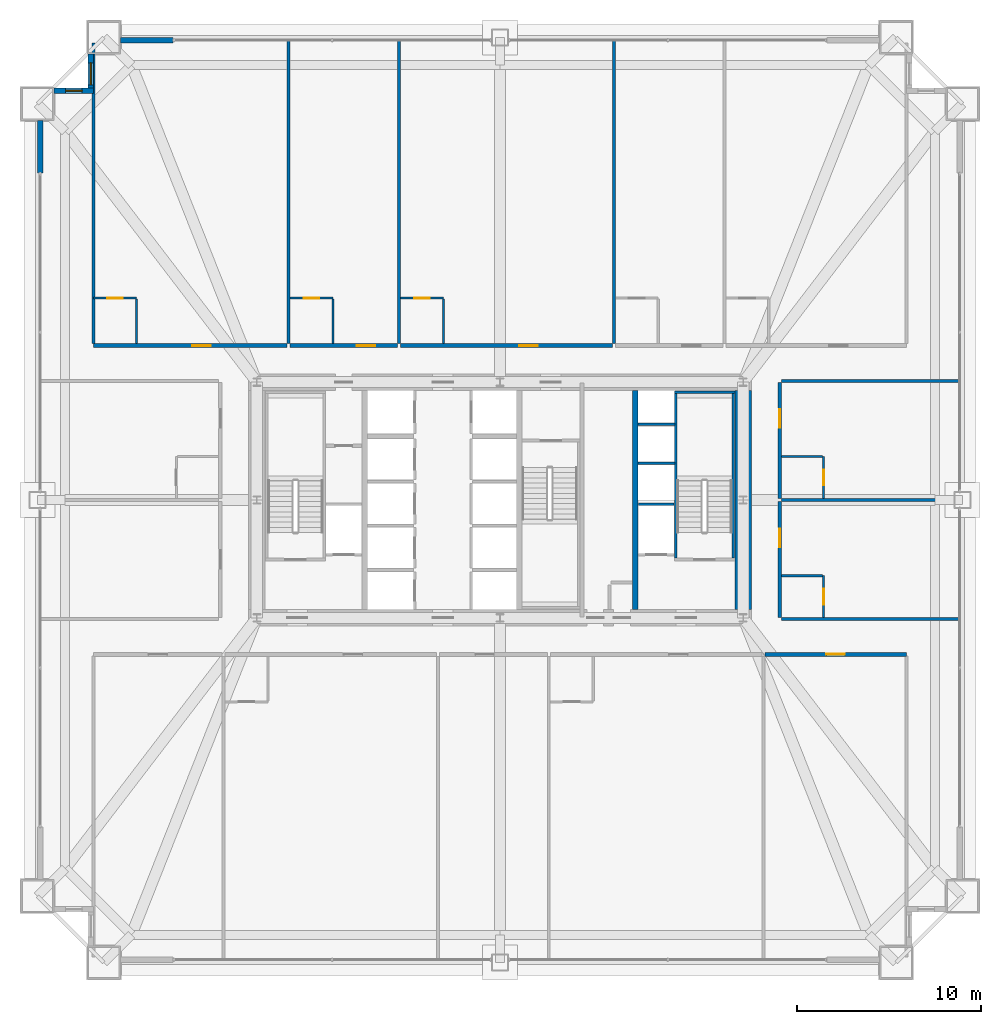
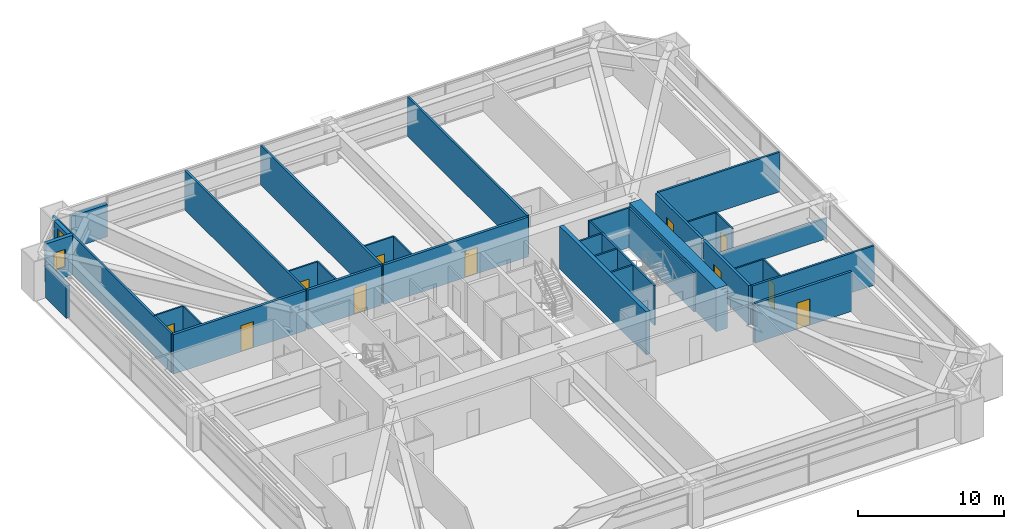
# One storey, part 42 of 44: 35 walls, 11 doors, 2 windows, 13 openings.
"""IFC4 building model written with IfcOpenShell, lengths in metres."""

from ifc_helpers import new_model, si_unit, direction, frame, frame_2d, origin, place, context, subcontext, project, spatial, rectangle, extrude, source, transform, mapped, material, layer, layer_set, type_object, element, fill, save


model = new_model("IFC4")

# Units and contexts
model_context = context("Model", 3, precision=1e-05, world=origin(), true_north=direction((0.0, 1.0)))
body_context = subcontext(model_context, "Body", "Model", "MODEL_VIEW")
ifc_project = project(units=[si_unit("LENGTHUNIT", "METRE"), si_unit("AREAUNIT", "SQUARE_METRE"), si_unit("VOLUMEUNIT", "CUBIC_METRE"), si_unit("PLANEANGLEUNIT", "RADIAN"), si_unit("MASSUNIT", "GRAM", prefix="KILO"), si_unit("THERMODYNAMICTEMPERATUREUNIT", "KELVIN"), si_unit("POWERUNIT", "WATT")], contexts=[model_context])

# Site, building, storey
site_placement = place(None, origin())
site = spatial("IfcSite", under=ifc_project, at=site_placement, CompositionType="ELEMENT")
building_placement = place(site_placement, origin())
building = spatial("IfcBuilding", under=site, at=building_placement, Name="Yuzanri Waterfront Tower", CompositionType="ELEMENT")
storey_placement = place(building_placement, frame((0.0, 0.0, 82.0)))
storey = spatial("IfcBuildingStorey", under=building, at=storey_placement, Name="L21", CompositionType="ELEMENT", Elevation=82.0)

# Wall, opening, door
ifc_material_1 = material(Name="Moisture-Resistant Gypsum Stud Wall", Category="gypsum")
ifc_layer_1 = layer(ifc_material_1, 0.1201171875)
ifc_layer_set_1 = layer_set([ifc_layer_1], Name="Moisture-Resistant Gypsum Stud Wall")
wall_type_1 = type_object("IfcWallType", Name="Bathroom and Kitchen Wet Partition 120", PredefinedType="PARTITIONING", material=ifc_layer_set_1)
wall_1_placement = place(storey_placement, frame((14.93994140625, 36.760009765625, 0.0), z_axis=(0.0, 0.0, 1.0), x_axis=(1.0, 0.0, 0.0)))
wall_1 = element("IfcWall", 1, at=wall_1_placement, inside=storey, type_object=wall_type_1, Name="L21 Partition UW-L21-N1-BN", PredefinedType="PARTITIONING", context=body_context, shape_type="SweptSolid", body=[
    extrude(rectangle(XDim=2.330078125, YDim=0.1201171875, at=frame_2d((1.1650390625, 0.0))), origin(), (0.0, 0.0, 1.0), 3.320068359375),
])
opening_1_placement = place(wall_1_placement, frame((0.739990234375, 0.0, 0.0)))
opening_1 = element("IfcOpeningElement", 2, at=opening_1_placement, cuts=wall_1, Name="Opening ID-0850", PredefinedType="OPENING", context=body_context, shape_type="SweptSolid", body=[
    extrude(rectangle(XDim=0.85009765625, YDim=2.10009765625, at=frame_2d((0.425048828125, 1.050048828125))), frame((0.0, 0.074951171875, 0.0), z_axis=(0.0, -1.0, 0.0), x_axis=(1.0, 0.0, 0.0)), (0.0, 0.0, 1.0), 0.14990234375),
])
ifc_material_2 = material(Name="Moisture-Resistant Lacquered Timber", Category="wood")
door_type_1 = type_object("IfcDoorType", Name="En-Suite Bathroom and Kitchen Swing Door 850x2100", OperationType="NOTDEFINED", PredefinedType="DOOR", material=ifc_material_2)
shared_shape_1 = source(origin(), body_context, "Body", "SweptSolid", [
    extrude(rectangle(XDim=0.85009765625, YDim=2.10009765625, at=frame_2d((0.425048828125, 1.050048828125))), frame((0.0, 0.02490234375, 0.0), z_axis=(0.0, -1.0, 0.0), x_axis=(1.0, 0.0, 0.0)), (0.0, 0.0, 1.0), 0.050048828125),
])
door_1_placement = place(opening_1_placement, origin())
door_1 = element("IfcDoor", 3, at=door_1_placement, inside=storey, type_object=door_type_1, Name="L21 Guest En-Suite Door", OperationType="SINGLE_SWING_RIGHT", OverallHeight=2.10009765625, OverallWidth=0.85009765625, PredefinedType="DOOR", context=body_context, shape_type="MappedRepresentation", body=[
    mapped(shared_shape_1, transform((0.0, 0.0, 0.0), scale=1.0)),
])
fill(opening_1, door_1)

wall_2_placement = place(storey_placement, frame((25.60888671875, 36.760009765625, 0.0), z_axis=(0.0, 0.0, 1.0), x_axis=(1.0, 0.0, 0.0)))
wall_2 = element("IfcWall", 4, at=wall_2_placement, inside=storey, type_object=wall_type_1, Name="L21 Partition UW-L21-N2-BN", PredefinedType="PARTITIONING", context=body_context, shape_type="SweptSolid", body=[
    extrude(rectangle(XDim=2.330078125, YDim=0.1201171875, at=frame_2d((1.1650390625, 0.0))), origin(), (0.0, 0.0, 1.0), 3.320068359375),
])
opening_2_placement = place(wall_2_placement, frame((0.739990234375, 0.0, 0.0)))
opening_2 = element("IfcOpeningElement", 5, at=opening_2_placement, cuts=wall_2, Name="Opening ID-0850", PredefinedType="OPENING", context=body_context, shape_type="SweptSolid", body=[
    extrude(rectangle(XDim=0.85009765625, YDim=2.10009765625, at=frame_2d((0.425048828125, 1.050048828125))), frame((0.0, 0.074951171875, 0.0), z_axis=(0.0, -1.0, 0.0), x_axis=(1.0, 0.0, 0.0)), (0.0, 0.0, 1.0), 0.14990234375),
])
door_2_placement = place(opening_2_placement, origin())
door_2 = element("IfcDoor", 6, at=door_2_placement, inside=storey, type_object=door_type_1, Name="L21 Guest En-Suite Door", OperationType="SINGLE_SWING_RIGHT", OverallHeight=2.10009765625, OverallWidth=0.85009765625, PredefinedType="DOOR", context=body_context, shape_type="MappedRepresentation", body=[
    mapped(shared_shape_1, transform((0.0, 0.0, 0.0), scale=1.0)),
])
fill(opening_2, door_2)

wall_3_placement = place(storey_placement, frame((31.60888671875, 36.760009765625, 0.0), z_axis=(0.0, 0.0, 1.0), x_axis=(1.0, 0.0, 0.0)))
wall_3 = element("IfcWall", 7, at=wall_3_placement, inside=storey, type_object=wall_type_1, Name="L21 Partition UW-L21-N3-BN", PredefinedType="PARTITIONING", context=body_context, shape_type="SweptSolid", body=[
    extrude(rectangle(XDim=2.330078125, YDim=0.1201171875, at=frame_2d((1.1650390625, 0.0))), origin(), (0.0, 0.0, 1.0), 3.320068359375),
])
opening_3_placement = place(wall_3_placement, frame((0.739990234375, 0.0, 0.0)))
opening_3 = element("IfcOpeningElement", 8, at=opening_3_placement, cuts=wall_3, Name="Opening ID-0850", PredefinedType="OPENING", context=body_context, shape_type="SweptSolid", body=[
    extrude(rectangle(XDim=0.85009765625, YDim=2.10009765625, at=frame_2d((0.425048828125, 1.050048828125))), frame((0.0, 0.074951171875, 0.0), z_axis=(0.0, -1.0, 0.0), x_axis=(1.0, 0.0, 0.0)), (0.0, 0.0, 1.0), 0.14990234375),
])
door_3_placement = place(opening_3_placement, origin())
door_3 = element("IfcDoor", 9, at=door_3_placement, inside=storey, type_object=door_type_1, Name="L21 Guest En-Suite Door", OperationType="SINGLE_SWING_RIGHT", OverallHeight=2.10009765625, OverallWidth=0.85009765625, PredefinedType="DOOR", context=body_context, shape_type="MappedRepresentation", body=[
    mapped(shared_shape_1, transform((0.0, 0.0, 0.0), scale=1.0)),
])
fill(opening_3, door_3)

wall_4_placement = place(storey_placement, frame((54.56005859375, 19.409912109375, 0.0), z_axis=(0.0, 0.0, 1.0), x_axis=(0.0, 1.0, 0.0)))
wall_4 = element("IfcWall", 10, at=wall_4_placement, inside=storey, type_object=wall_type_1, Name="L21 Partition UW-L21-E1-BE2", PredefinedType="PARTITIONING", context=body_context, shape_type="SweptSolid", body=[
    extrude(rectangle(XDim=2.280029296875, YDim=0.1201171875, at=frame_2d((1.14013671875, 0.0))), origin(), (0.0, 0.0, 1.0), 3.320068359375),
])
opening_4_placement = place(wall_4_placement, frame((0.715087890625, 0.0, 0.0)))
opening_4 = element("IfcOpeningElement", 11, at=opening_4_placement, cuts=wall_4, Name="Opening ID-0850", PredefinedType="OPENING", context=body_context, shape_type="SweptSolid", body=[
    extrude(rectangle(XDim=0.85009765625, YDim=2.10009765625, at=frame_2d((0.425048828125, 1.050048828125))), frame((0.0, 0.074951171875, 0.0), z_axis=(0.0, -1.0, 0.0), x_axis=(1.0, 0.0, 0.0)), (0.0, 0.0, 1.0), 0.14990234375),
])
door_4_placement = place(opening_4_placement, origin())
door_4 = element("IfcDoor", 12, at=door_4_placement, inside=storey, type_object=door_type_1, Name="L21 Guest En-Suite Door", OperationType="SINGLE_SWING_LEFT", OverallHeight=2.10009765625, OverallWidth=0.85009765625, PredefinedType="DOOR", context=body_context, shape_type="MappedRepresentation", body=[
    mapped(shared_shape_1, transform((0.0, 0.0, 0.0), scale=1.0)),
])
fill(opening_4, door_4)

wall_5_placement = place(storey_placement, frame((54.56005859375, 25.8798828125, 0.0), z_axis=(0.0, 0.0, 1.0), x_axis=(0.0, 1.0, 0.0)))
wall_5 = element("IfcWall", 13, at=wall_5_placement, inside=storey, type_object=wall_type_1, Name="L21 Partition UW-L21-E2-BE2", PredefinedType="PARTITIONING", context=body_context, shape_type="SweptSolid", body=[
    extrude(rectangle(XDim=2.280029296875, YDim=0.1201171875, at=frame_2d((1.14013671875, 0.0))), origin(), (0.0, 0.0, 1.0), 3.320068359375),
])
opening_5_placement = place(wall_5_placement, frame((0.715087890625, 0.0, 0.0)))
opening_5 = element("IfcOpeningElement", 14, at=opening_5_placement, cuts=wall_5, Name="Opening ID-0850", PredefinedType="OPENING", context=body_context, shape_type="SweptSolid", body=[
    extrude(rectangle(XDim=0.85009765625, YDim=2.10009765625, at=frame_2d((0.425048828125, 1.050048828125))), frame((0.0, 0.074951171875, 0.0), z_axis=(0.0, -1.0, 0.0), x_axis=(1.0, 0.0, 0.0)), (0.0, 0.0, 1.0), 0.14990234375),
])
door_5_placement = place(opening_5_placement, origin())
door_5 = element("IfcDoor", 15, at=door_5_placement, inside=storey, type_object=door_type_1, Name="L21 Guest En-Suite Door", OperationType="SINGLE_SWING_LEFT", OverallHeight=2.10009765625, OverallWidth=0.85009765625, PredefinedType="DOOR", context=body_context, shape_type="MappedRepresentation", body=[
    mapped(shared_shape_1, transform((0.0, 0.0, 0.0), scale=1.0)),
])
fill(opening_5, door_5)

# Wall, opening, window
ifc_material_3 = material(Name="Honed Chongqing Dark Basalt Stone", Category="masonry")
ifc_layer_2 = layer(ifc_material_3, 0.300048828125)
ifc_layer_set_2 = layer_set([ifc_layer_2], Name="Honed Chongqing Dark Basalt Stone")
wall_type_2 = type_object("IfcWallType", Name="Bronze Rainscreen Insulated Spandrel Portal Wall 300", PredefinedType="SOLIDWALL", material=ifc_layer_set_2)
wall_6_placement = place(storey_placement, frame((14.949951171875, 48.0, 0.0), z_axis=(0.0, 0.0, 1.0), x_axis=(-1.0, 0.0, 0.0)))
wall_6 = element("IfcWall", 16, at=wall_6_placement, inside=storey, type_object=wall_type_2, Name="L21 Notched Corner Masonry Wall NW-X", PredefinedType="SOLIDWALL", context=body_context, shape_type="SweptSolid", body=[
    extrude(rectangle(XDim=2.14990234375, YDim=0.300048828125, at=frame_2d((1.074951171875, 0.0))), origin(), (0.0, 0.0, 1.0), 3.320068359375),
])
opening_6_placement = place(wall_6_placement, frame((0.625, 0.0, 0.85009765625)))
opening_6 = element("IfcOpeningElement", 17, at=opening_6_placement, cuts=wall_6, Name="Opening WN-05", PredefinedType="OPENING", context=body_context, shape_type="SweptSolid", body=[
    extrude(rectangle(XDim=0.89990234375, YDim=1.5, at=frame_2d((0.449951171875, 0.75))), frame((0.0, 0.1650390625, 0.0), z_axis=(0.0, -1.0, 0.0), x_axis=(1.0, 0.0, 0.0)), (0.0, 0.0, 1.0), 0.329833984375),
])
ifc_material_4 = material(Name="Double-Silver Low-E Insulated Glass", Category="glass")
window_type_1 = type_object("IfcWindowType", Name="Anodized Bronze Service and Stairwell Smoke-Vent Window 900x1500", PartitioningType="SINGLE_PANEL", PredefinedType="WINDOW", material=ifc_material_4)
shared_shape_2 = source(origin(), body_context, "Body", "SweptSolid", [
    extrude(rectangle(XDim=0.89990234375, YDim=1.5, at=frame_2d((0.449951171875, 0.75))), frame((0.0, 0.030029296875, 0.0), z_axis=(0.0, -1.0, 0.0), x_axis=(1.0, 0.0, 0.0)), (0.0, 0.0, 1.0), 0.06005859375),
])
window_1_placement = place(opening_6_placement, origin())
window_1 = element("IfcWindow", 18, at=window_1_placement, inside=storey, type_object=window_type_1, Name="L21 Notched Corner Window NW-X", OverallHeight=1.5, OverallWidth=0.89990234375, PartitioningType="SINGLE_PANEL", PredefinedType="WINDOW", context=body_context, shape_type="MappedRepresentation", body=[
    mapped(shared_shape_2, transform((0.0, 0.0, 0.0), scale=1.0)),
])
fill(opening_6, window_1)

wall_7_placement = place(storey_placement, frame((14.800048828125, 50.0, 0.0), z_axis=(0.0, 0.0, 1.0), x_axis=(0.0, -1.0, 0.0)))
wall_7 = element("IfcWall", 19, at=wall_7_placement, inside=storey, type_object=wall_type_2, Name="L21 Notched Corner Masonry Wall NW-Y", PredefinedType="SOLIDWALL", context=body_context, shape_type="SweptSolid", body=[
    extrude(rectangle(XDim=2.14990234375, YDim=0.300048828125, at=frame_2d((1.074951171875, 0.0))), origin(), (0.0, 0.0, 1.0), 3.320068359375),
])
opening_7_placement = place(wall_7_placement, frame((0.47509765625, 0.0, 0.85009765625)))
opening_7 = element("IfcOpeningElement", 20, at=opening_7_placement, cuts=wall_7, Name="Opening WN-02", PredefinedType="OPENING", context=body_context, shape_type="SweptSolid", body=[
    extrude(rectangle(XDim=1.199951171875, YDim=2.10009765625, at=frame_2d((0.60009765625, 1.050048828125))), frame((0.0, 0.1650390625, 0.0), z_axis=(0.0, -1.0, 0.0), x_axis=(1.0, 0.0, 0.0)), (0.0, 0.0, 1.0), 0.329833984375),
])
ifc_material_5 = material(Name="Double-Silver Low-E Insulated Glass", Category="glass")
window_type_2 = type_object("IfcWindowType", Name="Anodized Bronze Notched Corner Deep-Set Slot Window 1200x2100", PartitioningType="SINGLE_PANEL", PredefinedType="WINDOW", material=ifc_material_5)
shared_shape_3 = source(origin(), body_context, "Body", "SweptSolid", [
    extrude(rectangle(XDim=1.199951171875, YDim=2.10009765625, at=frame_2d((0.60009765625, 1.050048828125))), frame((0.0, 0.030029296875, 0.0), z_axis=(0.0, -1.0, 0.0), x_axis=(1.0, 0.0, 0.0)), (0.0, 0.0, 1.0), 0.06005859375),
])
window_2_placement = place(opening_7_placement, origin())
window_2 = element("IfcWindow", 21, at=window_2_placement, inside=storey, type_object=window_type_2, Name="L21 Notched Corner Window NW-Y", OverallHeight=2.10009765625, OverallWidth=1.199951171875, PartitioningType="SINGLE_PANEL", PredefinedType="WINDOW", context=body_context, shape_type="MappedRepresentation", body=[
    mapped(shared_shape_3, transform((0.0, 0.0, 0.0), scale=1.0)),
])
fill(opening_7, window_2)

# Wall, opening, door
ifc_material_6 = material(Name="Autoclaved Aerated Concrete Blockwork", Category="masonry")
ifc_layer_3 = layer(ifc_material_6, 0.199951171875)
ifc_layer_set_3 = layer_set([ifc_layer_3], Name="Autoclaved Aerated Concrete Blockwork")
wall_type_3 = type_object("IfcWallType", Name="Corridor and Unit Party Fire Wall 200", PredefinedType="PARTITIONING", material=ifc_layer_set_3)
wall_8_placement = place(storey_placement, frame((51.375, 17.419921875, 0.0), z_axis=(0.0, 0.0, 1.0), x_axis=(1.0, 0.0, 0.0)))
wall_8 = element("IfcWall", 22, at=wall_8_placement, inside=storey, type_object=wall_type_3, Name="L21 Partition UW-L21-S5-CN", PredefinedType="PARTITIONING", context=body_context, shape_type="SweptSolid", body=[
    extrude(rectangle(XDim=7.68505859375, YDim=0.199951171875, at=frame_2d((3.842529296875, 0.0))), origin(), (0.0, 0.0, 1.0), 3.320068359375),
])
opening_8_placement = place(wall_8_placement, frame((3.343017578125, 0.0, 0.0)))
opening_8 = element("IfcOpeningElement", 23, at=opening_8_placement, cuts=wall_8, Name="Opening FD-1000", PredefinedType="OPENING", context=body_context, shape_type="SweptSolid", body=[
    extrude(rectangle(XDim=1.0, YDim=2.199951171875, at=frame_2d((0.5, 1.10009765625))), frame((0.0, 0.11474609375, 0.0), z_axis=(0.0, -1.0, 0.0), x_axis=(1.0, 0.0, 0.0)), (0.0, 0.0, 1.0), 0.229736328125),
])
ifc_material_7 = material(Name="Engineered Oak Fire-Rated Timber", Category="wood")
door_type_2 = type_object("IfcDoorType", Name="Guestroom and Apartment Entrance Fire Door 1000x2200", OperationType="NOTDEFINED", PredefinedType="DOOR", material=ifc_material_7)
shared_shape_4 = source(origin(), body_context, "Body", "SweptSolid", [
    extrude(rectangle(XDim=1.0, YDim=2.199951171875, at=frame_2d((0.5, 1.10009765625))), frame((0.0, 0.02490234375, 0.0), z_axis=(0.0, -1.0, 0.0), x_axis=(1.0, 0.0, 0.0)), (0.0, 0.0, 1.0), 0.050048828125),
])
door_6_placement = place(opening_8_placement, origin())
door_6 = element("IfcDoor", 24, at=door_6_placement, inside=storey, type_object=door_type_2, Name="L21 Connoisseur Club Room Entrance Door", OperationType="SINGLE_SWING_RIGHT", OverallHeight=2.199951171875, OverallWidth=1.0, PredefinedType="DOOR", context=body_context, shape_type="MappedRepresentation", body=[
    mapped(shared_shape_4, transform((0.0, 0.0, 0.0), scale=1.0)),
])
fill(opening_8, door_6)

wall_9_placement = place(storey_placement, frame((14.93994140625, 34.179931640625, 0.0), z_axis=(0.0, 0.0, 1.0), x_axis=(1.0, 0.0, 0.0)))
wall_9 = element("IfcWall", 25, at=wall_9_placement, inside=storey, type_object=wall_type_3, Name="L21 Partition UW-L21-N1-CS", PredefinedType="PARTITIONING", context=body_context, shape_type="SweptSolid", body=[
    extrude(rectangle(XDim=10.509033203125, YDim=0.199951171875, at=frame_2d((5.25439453125, 0.0))), origin(), (0.0, 0.0, 1.0), 3.320068359375),
])
opening_9_placement = place(wall_9_placement, frame((5.35498046875, 0.0, 0.0)))
opening_9 = element("IfcOpeningElement", 26, at=opening_9_placement, cuts=wall_9, Name="Opening FD-1000", PredefinedType="OPENING", context=body_context, shape_type="SweptSolid", body=[
    extrude(rectangle(XDim=1.0, YDim=2.199951171875, at=frame_2d((0.5, 1.10009765625))), frame((0.0, 0.11474609375, 0.0), z_axis=(0.0, -1.0, 0.0), x_axis=(1.0, 0.0, 0.0)), (0.0, 0.0, 1.0), 0.229736328125),
])
door_7_placement = place(opening_9_placement, origin())
door_7 = element("IfcDoor", 27, at=door_7_placement, inside=storey, type_object=door_type_2, Name="L21 Deluxe Junior Suite Entrance Door", OperationType="SINGLE_SWING_LEFT", OverallHeight=2.199951171875, OverallWidth=1.0, PredefinedType="DOOR", context=body_context, shape_type="MappedRepresentation", body=[
    mapped(shared_shape_4, transform((0.0, 0.0, 0.0), scale=1.0)),
])
fill(opening_9, door_7)

wall_10_placement = place(storey_placement, frame((25.60888671875, 34.179931640625, 0.0), z_axis=(0.0, 0.0, 1.0), x_axis=(1.0, 0.0, 0.0)))
wall_10 = element("IfcWall", 28, at=wall_10_placement, inside=storey, type_object=wall_type_3, Name="L21 Partition UW-L21-N2-CS", PredefinedType="PARTITIONING", context=body_context, shape_type="SweptSolid", body=[
    extrude(rectangle(XDim=5.840087890625, YDim=0.199951171875, at=frame_2d((2.919921875, 0.0))), origin(), (0.0, 0.0, 1.0), 3.320068359375),
])
opening_10_placement = place(wall_10_placement, frame((3.625, 0.0, 0.0)))
opening_10 = element("IfcOpeningElement", 29, at=opening_10_placement, cuts=wall_10, Name="Opening FD-1000", PredefinedType="OPENING", context=body_context, shape_type="SweptSolid", body=[
    extrude(rectangle(XDim=1.0, YDim=2.199951171875, at=frame_2d((0.5, 1.10009765625))), frame((0.0, 0.11474609375, 0.0), z_axis=(0.0, -1.0, 0.0), x_axis=(1.0, 0.0, 0.0)), (0.0, 0.0, 1.0), 0.229736328125),
])
door_8_placement = place(opening_10_placement, origin())
door_8 = element("IfcDoor", 30, at=door_8_placement, inside=storey, type_object=door_type_2, Name="L21 Deluxe Junior Suite Entrance Door", OperationType="SINGLE_SWING_LEFT", OverallHeight=2.199951171875, OverallWidth=1.0, PredefinedType="DOOR", context=body_context, shape_type="MappedRepresentation", body=[
    mapped(shared_shape_4, transform((0.0, 0.0, 0.0), scale=1.0)),
])
fill(opening_10, door_8)

wall_11_placement = place(storey_placement, frame((31.60888671875, 34.179931640625, 0.0), z_axis=(0.0, 0.0, 1.0), x_axis=(1.0, 0.0, 0.0)))
wall_11 = element("IfcWall", 31, at=wall_11_placement, inside=storey, type_object=wall_type_3, Name="L21 Partition UW-L21-N3-CS", PredefinedType="PARTITIONING", context=body_context, shape_type="SweptSolid", body=[
    extrude(rectangle(XDim=11.488037109375, YDim=0.199951171875, at=frame_2d((5.744140625, 0.0))), origin(), (0.0, 0.0, 1.0), 3.320068359375),
])
opening_11_placement = place(wall_11_placement, frame((6.448974609375, 0.0, 0.0)))
opening_11 = element("IfcOpeningElement", 32, at=opening_11_placement, cuts=wall_11, Name="Opening FD-1000", PredefinedType="OPENING", context=body_context, shape_type="SweptSolid", body=[
    extrude(rectangle(XDim=1.0, YDim=2.199951171875, at=frame_2d((0.5, 1.10009765625))), frame((0.0, 0.11474609375, 0.0), z_axis=(0.0, -1.0, 0.0), x_axis=(1.0, 0.0, 0.0)), (0.0, 0.0, 1.0), 0.229736328125),
])
door_9_placement = place(opening_11_placement, origin())
door_9 = element("IfcDoor", 33, at=door_9_placement, inside=storey, type_object=door_type_2, Name="L21 Deluxe Junior Suite Entrance Door", OperationType="SINGLE_SWING_LEFT", OverallHeight=2.199951171875, OverallWidth=1.0, PredefinedType="DOOR", context=body_context, shape_type="MappedRepresentation", body=[
    mapped(shared_shape_4, transform((0.0, 0.0, 0.0), scale=1.0)),
])
fill(opening_11, door_9)

wall_12_placement = place(storey_placement, frame((52.179931640625, 19.409912109375, 0.0), z_axis=(0.0, 0.0, 1.0), x_axis=(0.0, 1.0, 0.0)))
wall_12 = element("IfcWall", 34, at=wall_12_placement, inside=storey, type_object=wall_type_3, Name="L21 Partition UW-L21-E1-CW", PredefinedType="PARTITIONING", context=body_context, shape_type="SweptSolid", body=[
    extrude(rectangle(XDim=6.31005859375, YDim=0.199951171875, at=frame_2d((3.155029296875, 0.0))), origin(), (0.0, 0.0, 1.0), 3.320068359375),
])
opening_12_placement = place(wall_12_placement, frame((3.8349609375, 0.0, 0.0)))
opening_12 = element("IfcOpeningElement", 35, at=opening_12_placement, cuts=wall_12, Name="Opening FD-1000", PredefinedType="OPENING", context=body_context, shape_type="SweptSolid", body=[
    extrude(rectangle(XDim=1.0, YDim=2.199951171875, at=frame_2d((0.5, 1.10009765625))), frame((0.0, 0.11474609375, 0.0), z_axis=(0.0, -1.0, 0.0), x_axis=(1.0, 0.0, 0.0)), (0.0, 0.0, 1.0), 0.229736328125),
])
door_10_placement = place(opening_12_placement, origin())
door_10 = element("IfcDoor", 36, at=door_10_placement, inside=storey, type_object=door_type_2, Name="L21 East Guest Room Entrance Door", OperationType="SINGLE_SWING_RIGHT", OverallHeight=2.199951171875, OverallWidth=1.0, PredefinedType="DOOR", context=body_context, shape_type="MappedRepresentation", body=[
    mapped(shared_shape_4, transform((0.0, 0.0, 0.0), scale=1.0)),
])
fill(opening_12, door_10)

wall_13_placement = place(storey_placement, frame((52.179931640625, 25.8798828125, 0.0), z_axis=(0.0, 0.0, 1.0), x_axis=(0.0, 1.0, 0.0)))
wall_13 = element("IfcWall", 37, at=wall_13_placement, inside=storey, type_object=wall_type_3, Name="L21 Partition UW-L21-E2-CW", PredefinedType="PARTITIONING", context=body_context, shape_type="SweptSolid", body=[
    extrude(rectangle(XDim=6.31005859375, YDim=0.199951171875, at=frame_2d((3.155029296875, 0.0))), origin(), (0.0, 0.0, 1.0), 3.320068359375),
])
opening_13_placement = place(wall_13_placement, frame((3.8349609375, 0.0, 0.0)))
opening_13 = element("IfcOpeningElement", 38, at=opening_13_placement, cuts=wall_13, Name="Opening FD-1000", PredefinedType="OPENING", context=body_context, shape_type="SweptSolid", body=[
    extrude(rectangle(XDim=1.0, YDim=2.199951171875, at=frame_2d((0.5, 1.10009765625))), frame((0.0, 0.11474609375, 0.0), z_axis=(0.0, -1.0, 0.0), x_axis=(1.0, 0.0, 0.0)), (0.0, 0.0, 1.0), 0.229736328125),
])
door_11_placement = place(opening_13_placement, origin())
door_11 = element("IfcDoor", 39, at=door_11_placement, inside=storey, type_object=door_type_2, Name="L21 East Guest Room Entrance Door", OperationType="SINGLE_SWING_RIGHT", OverallHeight=2.199951171875, OverallWidth=1.0, PredefinedType="DOOR", context=body_context, shape_type="MappedRepresentation", body=[
    mapped(shared_shape_4, transform((0.0, 0.0, 0.0), scale=1.0)),
])
fill(opening_13, door_11)

# Walls
ifc_material_8 = material(Name="Concrete C60", Category="concrete")
ifc_layer_4 = layer(ifc_material_8, 0.89990234375)
ifc_layer_set_4 = layer_set([ifc_layer_4], Name="Concrete C60")
wall_type_4 = type_object("IfcWallType", Name="Concrete C60 Lower Zone Core Shear Wall 900", PredefinedType="SHEAR", material=ifc_layer_set_4)
shared_shape_5 = source(origin(), body_context, "Body", "SweptSolid", [
    extrude(rectangle(XDim=11.89990234375, YDim=0.89990234375, at=frame_2d((5.949951171875, 0.0))), origin(), (0.0, 0.0, 1.0), 3.60009765625),
])
wall_14_placement = place(storey_placement, frame((50.199951171875, 19.85009765625, 0.0), z_axis=(0.0, 0.0, 1.0), x_axis=(0.0, 1.0, 0.0)))
element("IfcWall", 40, at=wall_14_placement, inside=storey, type_object=wall_type_4, Name="L21 Core East Shear Wall", PredefinedType="SHEAR", context=body_context, shape_type="MappedRepresentation", body=[
    mapped(shared_shape_5, transform((0.0, 0.0, 0.0), scale=1.0)),
])
ifc_material_9 = material(Name="Concrete C50", Category="concrete")
ifc_layer_5 = layer(ifc_material_9, 0.300048828125)
ifc_layer_set_5 = layer_set([ifc_layer_5], Name="Concrete C50")
wall_type_5 = type_object("IfcWallType", Name="Concrete C50 Internal Core Shaft Structural Wall 300", PredefinedType="SOLIDWALL", material=ifc_layer_set_5)
shared_shape_6 = source(origin(), body_context, "Body", "SweptSolid", [
    extrude(rectangle(XDim=11.89990234375, YDim=0.300048828125, at=frame_2d((5.949951171875, 0.0))), origin(), (0.0, 0.0, 1.0), 3.60009765625),
])
wall_15_placement = place(storey_placement, frame((44.35009765625, 19.85009765625, 0.0), z_axis=(0.0, 0.0, 1.0), x_axis=(0.0, 1.0, 0.0)))
element("IfcWall", 41, at=wall_15_placement, inside=storey, type_object=wall_type_5, Name="L21 Core Internal Structural Web Wall 3", PredefinedType="SOLIDWALL", context=body_context, shape_type="MappedRepresentation", body=[
    mapped(shared_shape_6, transform((0.0, 0.0, 0.0), scale=1.0)),
])
shared_shape_7 = source(origin(), body_context, "Body", "SweptSolid", [
    extrude(rectangle(XDim=2.85009765625, YDim=0.300048828125, at=frame_2d((1.425048828125, 0.0))), origin(), (0.0, 0.0, 1.0), 2.715087890625),
])
wall_16_placement = place(storey_placement, frame((16.39990234375, 50.75, 0.0), z_axis=(0.0, 0.0, 1.0), x_axis=(1.0, 0.0, 0.0)))
element("IfcWall", 42, at=wall_16_placement, inside=storey, type_object=wall_type_2, Name="L21 N Left Braced Masonry Shoulder", PredefinedType="SOLIDWALL", context=body_context, shape_type="MappedRepresentation", body=[
    mapped(shared_shape_7, transform((0.0, 0.0, 0.0), scale=1.0)),
])
shared_shape_8 = source(origin(), body_context, "Body", "SweptSolid", [
    extrude(rectangle(XDim=2.849853515625, YDim=0.300048828125, at=frame_2d((1.4248046875, 0.0))), origin(), (0.0, 0.0, 1.0), 2.715087890625),
])
wall_17_placement = place(storey_placement, frame((12.050048828125, 43.550048828125, 0.0), z_axis=(0.0, 0.0, 1.0), x_axis=(0.0, 1.0, 0.0)))
element("IfcWall", 43, at=wall_17_placement, inside=storey, type_object=wall_type_2, Name="L21 W Right Braced Masonry Shoulder", PredefinedType="SOLIDWALL", context=body_context, shape_type="MappedRepresentation", body=[
    mapped(shared_shape_8, transform((0.0, 0.0, 0.0), scale=1.0)),
])
ifc_material_10 = material(Name="Concrete C40", Category="concrete")
ifc_layer_6 = layer(ifc_material_10, 0.139892578125)
ifc_layer_set_6 = layer_set([ifc_layer_6], Name="Concrete C40")
wall_type_6 = type_object("IfcWallType", Name="Core Stair Liner and Hoistway Shaft Wall 140", PredefinedType="SOLIDWALL", material=ifc_layer_set_6)
shared_shape_9 = source(origin(), body_context, "Body", "SweptSolid", [
    extrude(rectangle(XDim=1.919921875, YDim=0.139892578125, at=frame_2d((0.9599609375, 0.0))), origin(), (0.0, 0.0, 1.0), 3.320068359375),
])
wall_18_placement = place(storey_placement, frame((44.52001953125, 25.570068359375, 0.0), z_axis=(0.0, 0.0, 1.0), x_axis=(1.0, 0.0, 0.0)))
element("IfcWall", 44, at=wall_18_placement, inside=storey, type_object=wall_type_6, Name="L21 Lift FL-02 Back Shaft Wall", PredefinedType="SOLIDWALL", context=body_context, shape_type="MappedRepresentation", body=[
    mapped(shared_shape_9, transform((0.0, 0.0, 0.0), scale=1.0)),
])
shared_shape_10 = source(origin(), body_context, "Body", "SweptSolid", [
    extrude(rectangle(XDim=2.0, YDim=0.139892578125, at=frame_2d((1.0, 0.0))), origin(), (0.0, 0.0, 1.0), 3.320068359375),
])
for number, where, z_axis, x_axis, name in (
    (45, (44.5, 27.800048828125, 0.0), (0.0, 0.0, 1.0), (1.0, 0.0, 0.0), "L21 Lift PL-09 Divider Wall"),
    (46, (44.5, 29.89990234375, 0.0), (0.0, 0.0, 1.0), (1.0, 0.0, 0.0), "L21 Lift PL-10 Divider Wall"),
):
    element("IfcWall", number, at=place(storey_placement, frame(where, z_axis=z_axis, x_axis=x_axis)), inside=storey, type_object=wall_type_6, Name=name, PredefinedType="SOLIDWALL", context=body_context, shape_type="MappedRepresentation", body=[
        mapped(shared_shape_10, transform((0.0, 0.0, 0.0), scale=1.0)),
    ])
shared_shape_11 = source(origin(), body_context, "Body", "SweptSolid", [
    extrude(rectangle(XDim=3.280029296875, YDim=0.139892578125, at=frame_2d((1.64013671875, 0.0))), origin(), (0.0, 0.0, 1.0), 3.320068359375),
])
wall_19_placement = place(storey_placement, frame((46.4599609375, 31.64990234375, 0.0), z_axis=(0.0, 0.0, 1.0), x_axis=(1.0, 0.0, 0.0)))
element("IfcWall", 47, at=wall_19_placement, inside=storey, type_object=wall_type_6, Name="L21 Stair ST-02 North Shaft Wall", PredefinedType="SOLIDWALL", context=body_context, shape_type="MappedRepresentation", body=[
    mapped(shared_shape_11, transform((0.0, 0.0, 0.0), scale=1.0)),
])
shared_shape_12 = source(origin(), body_context, "Body", "SweptSolid", [
    extrude(rectangle(XDim=8.940185546875, YDim=0.139892578125, at=frame_2d((4.47021484375, 0.0))), origin(), (0.0, 0.0, 1.0), 3.320068359375),
])
for number, where, z_axis, x_axis, name in (
    (48, (46.530029296875, 22.639892578125, 0.0), (0.0, 0.0, 1.0), (0.0, 1.0, 0.0), "L21 Stair ST-02 West Shaft Wall"),
    (49, (49.669921875, 22.639892578125, 0.0), (0.0, 0.0, 1.0), (0.0, 1.0, 0.0), "L21 Stair ST-02 East Shaft Wall"),
):
    element("IfcWall", number, at=place(storey_placement, frame(where, z_axis=z_axis, x_axis=x_axis)), inside=storey, type_object=wall_type_6, Name=name, PredefinedType="SOLIDWALL", context=body_context, shape_type="MappedRepresentation", body=[
        mapped(shared_shape_12, transform((0.0, 0.0, 0.0), scale=1.0)),
    ])
ifc_material_11 = material(Name="Gypsum Fireboard Acoustic Stud Wall", Category="gypsum")
ifc_layer_7 = layer(ifc_material_11, 0.159912109375)
ifc_layer_set_7 = layer_set([ifc_layer_7], Name="Gypsum Fireboard Acoustic Stud Wall")
wall_type_7 = type_object("IfcWallType", Name="Acoustic Suite Demising Partition 160", PredefinedType="PARTITIONING", material=ifc_layer_set_7)
shared_shape_13 = source(origin(), body_context, "Body", "SweptSolid", [
    extrude(rectangle(XDim=16.469970703125, YDim=0.159912109375, at=frame_2d((8.23486328125, 0.0))), origin(), (0.0, 0.0, 1.0), 3.320068359375),
])
for number, where, z_axis, x_axis, name in (
    (50, (25.529052734375, 34.280029296875, 0.0), (0.0, 0.0, 1.0), (0.0, 1.0, 0.0), "L21-N1 Party Wall"),
    (51, (31.529052734375, 34.280029296875, 0.0), (0.0, 0.0, 1.0), (0.0, 1.0, 0.0), "L21-N2 Party Wall"),
    (52, (43.177001953125, 34.280029296875, 0.0), (0.0, 0.0, 1.0), (0.0, 1.0, 0.0), "L21-N3 Party Wall"),
):
    element("IfcWall", number, at=place(storey_placement, frame(where, z_axis=z_axis, x_axis=x_axis)), inside=storey, type_object=wall_type_7, Name=name, PredefinedType="PARTITIONING", context=body_context, shape_type="MappedRepresentation", body=[
        mapped(shared_shape_13, transform((0.0, 0.0, 0.0), scale=1.0)),
    ])
shared_shape_14 = source(origin(), body_context, "Body", "SweptSolid", [
    extrude(rectangle(XDim=16.320068359375, YDim=0.159912109375, at=frame_2d((8.16015625, 0.0))), origin(), (0.0, 0.0, 1.0), 3.320068359375),
])
wall_20_placement = place(storey_placement, frame((14.949951171875, 34.280029296875, 0.0), z_axis=(0.0, 0.0, 1.0), x_axis=(0.0, 1.0, 0.0)))
element("IfcWall", 53, at=wall_20_placement, inside=storey, type_object=wall_type_7, Name="L21 North Band West End Wall", PredefinedType="PARTITIONING", context=body_context, shape_type="MappedRepresentation", body=[
    mapped(shared_shape_14, transform((0.0, 0.0, 0.0), scale=1.0)),
])
shared_shape_15 = source(origin(), body_context, "Body", "SweptSolid", [
    extrude(rectangle(XDim=2.419921875, YDim=0.1201171875, at=frame_2d((1.2099609375, 0.0))), origin(), (0.0, 0.0, 1.0), 3.320068359375),
])
for number, where, z_axis, x_axis, name in (
    (54, (17.27001953125, 34.280029296875, 0.0), (0.0, 0.0, 1.0), (0.0, 1.0, 0.0), "L21-N1 En-Suite Side Wall"),
    (55, (27.93896484375, 34.280029296875, 0.0), (0.0, 0.0, 1.0), (0.0, 1.0, 0.0), "L21-N2 En-Suite Side Wall"),
    (56, (33.93896484375, 34.280029296875, 0.0), (0.0, 0.0, 1.0), (0.0, 1.0, 0.0), "L21-N3 En-Suite Side Wall"),
):
    element("IfcWall", number, at=place(storey_placement, frame(where, z_axis=z_axis, x_axis=x_axis)), inside=storey, type_object=wall_type_1, Name=name, PredefinedType="PARTITIONING", context=body_context, shape_type="MappedRepresentation", body=[
        mapped(shared_shape_15, transform((0.0, 0.0, 0.0), scale=1.0)),
    ])
shared_shape_16 = source(origin(), body_context, "Body", "SweptSolid", [
    extrude(rectangle(XDim=2.219970703125, YDim=0.1201171875, at=frame_2d((1.10986328125, 0.0))), origin(), (0.0, 0.0, 1.0), 3.320068359375),
])
for number, where, z_axis, x_axis, name in (
    (57, (52.280029296875, 21.68994140625, 0.0), (0.0, 0.0, 1.0), (1.0, 0.0, 0.0), "L21-E1 En-Suite Top Wall"),
    (58, (52.280029296875, 28.159912109375, 0.0), (0.0, 0.0, 1.0), (1.0, 0.0, 0.0), "L21-E2 En-Suite Top Wall"),
):
    element("IfcWall", number, at=place(storey_placement, frame(where, z_axis=z_axis, x_axis=x_axis)), inside=storey, type_object=wall_type_1, Name=name, PredefinedType="PARTITIONING", context=body_context, shape_type="MappedRepresentation", body=[
        mapped(shared_shape_16, transform((0.0, 0.0, 0.0), scale=1.0)),
    ])
shared_shape_17 = source(origin(), body_context, "Body", "SweptSolid", [
    extrude(rectangle(XDim=9.669921875, YDim=0.159912109375, at=frame_2d((4.8349609375, 0.0))), origin(), (0.0, 0.0, 1.0), 1.715087890625),
])
wall_21_placement = place(storey_placement, frame((52.280029296875, 25.800048828125, 0.0), z_axis=(0.0, 0.0, 1.0), x_axis=(1.0, 0.0, 0.0)))
element("IfcWall", 59, at=wall_21_placement, inside=storey, type_object=wall_type_7, Name="L21-E1 Wing Party Wall", PredefinedType="PARTITIONING", context=body_context, shape_type="MappedRepresentation", body=[
    mapped(shared_shape_17, transform((0.0, 0.0, 0.0), scale=1.0)),
])
shared_shape_18 = source(origin(), body_context, "Body", "SweptSolid", [
    extrude(rectangle(XDim=9.669921875, YDim=0.159912109375, at=frame_2d((4.8349609375, 0.0))), origin(), (0.0, 0.0, 1.0), 3.320068359375),
])
for number, where, z_axis, x_axis, name in (
    (60, (52.280029296875, 19.330078125, 0.0), (0.0, 0.0, 1.0), (1.0, 0.0, 0.0), "L21-E1 Wing South End Wall"),
    (61, (52.280029296875, 32.27001953125, 0.0), (0.0, 0.0, 1.0), (1.0, 0.0, 0.0), "L21-E2 Wing North End Wall"),
):
    element("IfcWall", number, at=place(storey_placement, frame(where, z_axis=z_axis, x_axis=x_axis)), inside=storey, type_object=wall_type_7, Name=name, PredefinedType="PARTITIONING", context=body_context, shape_type="MappedRepresentation", body=[
        mapped(shared_shape_18, transform((0.0, 0.0, 0.0), scale=1.0)),
    ])

save(model, "model.ifc")
